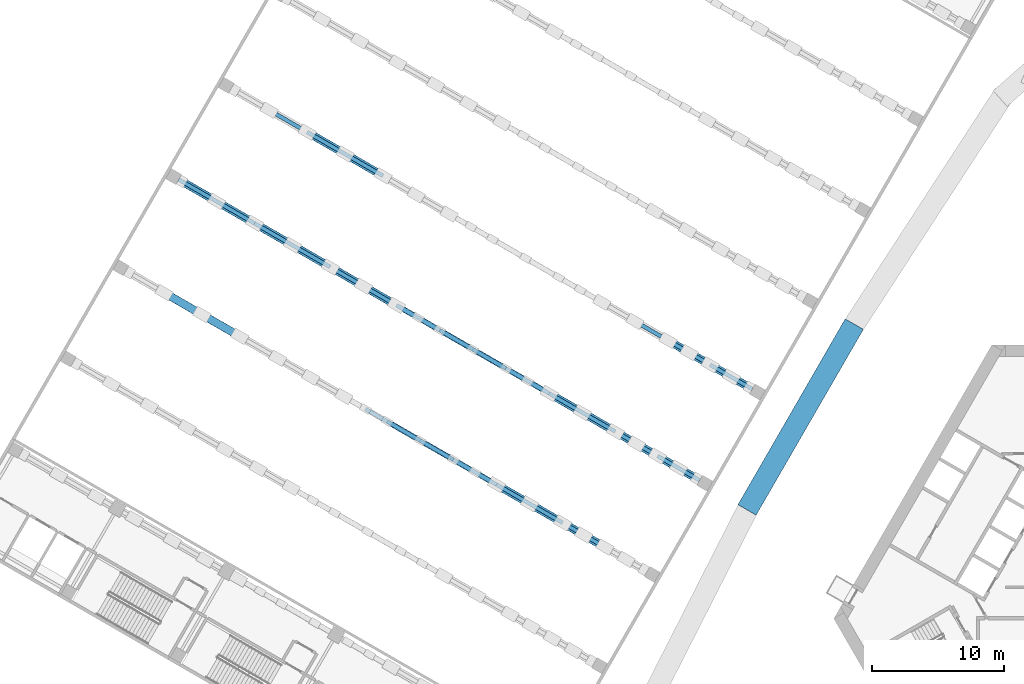
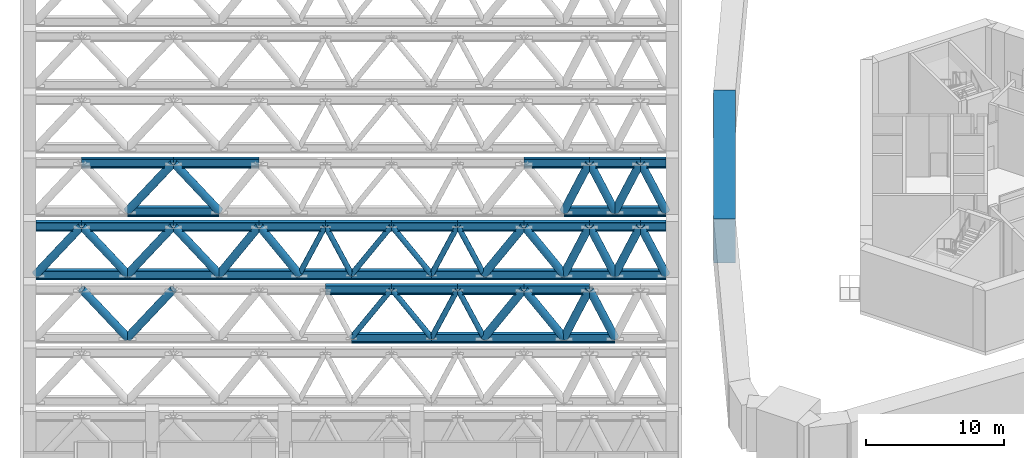
# One storey, part 3 of 37: 69 members, 1 beam.
"""IFC4 building model written with IfcOpenShell, lengths in metres."""

from ifc_helpers import new_model, si_unit, direction, frame, origin, origin_2d, place, context, subcontext, project, spatial, rectangle, hollow_circle, i_section, extrude, material, material_profile, profile_set, type_object, element, save


model = new_model("IFC4")

# Units and contexts
model_context = context("Model", 3, precision=1e-05, world=origin(), true_north=direction((0.0, 1.0)))
body_context = subcontext(model_context, "Body", "Model", "MODEL_VIEW")
ifc_project = project(units=[si_unit("LENGTHUNIT", "METRE"), si_unit("AREAUNIT", "SQUARE_METRE"), si_unit("VOLUMEUNIT", "CUBIC_METRE"), si_unit("PLANEANGLEUNIT", "RADIAN"), si_unit("MASSUNIT", "GRAM", prefix="KILO")], contexts=[model_context])

# Site, building, storey
site_placement = place(None, origin())
site = spatial("IfcSite", under=ifc_project, at=site_placement, CompositionType="ELEMENT")
building_placement = place(site_placement, origin())
building = spatial("IfcBuilding", under=site, at=building_placement, Name="Mestral Congress Tower", CompositionType="ELEMENT")
storey_placement = place(building_placement, frame((0.0, 0.0, 16.199951171875)))
storey = spatial("IfcBuildingStorey", under=building, at=storey_placement, Name="L03", CompositionType="ELEMENT", Elevation=16.199951171875)

# Beam
ifc_material_1 = material(Name="Concrete C70/85", Category="concrete")
ifc_material_profile_1 = material_profile(ifc_material_1, rectangle(XDim=1.60009765625, YDim=3.89990234375, at=origin_2d()), Name="RC 1600x3900")
ifc_profile_set_1 = profile_set([ifc_material_profile_1], Name="Concrete C70/85")
beam_type = type_object("IfcBeamType", Name="Transfer girder RC 1600x3900 C70/85", PredefinedType="BEAM", material=ifc_profile_set_1)
beam_placement = place(storey_placement, frame((-15.70361328125, 18.4765625, 3.449951171875), z_axis=(-0.499987831329, -0.866032429256, 0.0), x_axis=(0.866032429256, -0.499987831329, 0.0)))
element("IfcBeam", 1, at=beam_placement, inside=storey, type_object=beam_type, Name="BM-TG08", PredefinedType="BEAM", context=body_context, shape_type="SweptSolid", body=[
    extrude(rectangle(XDim=1.60009765625, YDim=3.89990234375, at=origin_2d()), origin(), (0.0, 0.0, 1.0), 16.298828125),
])

# Members
ifc_material_2 = material(Name="Steel S355", Category="steel")
ifc_material_profile_2 = material_profile(ifc_material_2, i_section(OverallWidth=0.300048828125, OverallDepth=0.800048828125, WebThickness=0.017578125, FlangeThickness=0.032958984375, FilletRadius=0.030029296875, at=origin_2d()), Name="HEB 800")
ifc_profile_set_2 = profile_set([ifc_material_profile_2], Name="Steel S355")
member_type_1 = type_object("IfcMemberType", Name="Truss chord HEB 800 S355", PredefinedType="CHORD", material=ifc_profile_set_2)
member_1_placement = place(storey_placement, frame((-23.4501953125, 13.5390625, 0.400146484375), z_axis=(-0.866046040199, 0.499964254978, 0.0), x_axis=(-0.499964254978, -0.866046040199, 0.0)))
element("IfcMember", 2, at=member_1_placement, inside=storey, type_object=member_type_1, Name="MB-W-T5-BC01", PredefinedType="CHORD", context=body_context, shape_type="SweptSolid", body=[
    extrude(i_section(OverallWidth=0.300048828125, OverallDepth=0.800048828125, WebThickness=0.017578125, FlangeThickness=0.032958984375, FilletRadius=0.030029296875, at=origin_2d()), origin(), (0.0, 0.0, 1.0), 3.699951171875),
])
member_2_placement = place(storey_placement, frame((-26.654541015625, 15.388916015625, 0.400146484375), z_axis=(-0.86601746898, 0.500013743233, 0.0), x_axis=(-0.500013743233, -0.86601746898, 0.0)))
element("IfcMember", 3, at=member_2_placement, inside=storey, type_object=member_type_1, Name="MB-W-T5-BC02", PredefinedType="CHORD", context=body_context, shape_type="SweptSolid", body=[
    extrude(i_section(OverallWidth=0.300048828125, OverallDepth=0.800048828125, WebThickness=0.017578125, FlangeThickness=0.032958984375, FilletRadius=0.030029296875, at=origin_2d()), origin(), (0.0, 0.0, 1.0), 3.7001953125),
])
member_3_placement = place(storey_placement, frame((-51.509521484375, 29.739013671875, 0.400146484375), z_axis=(-0.866027239912, 0.49999681972, 0.0), x_axis=(-0.49999681972, -0.866027239912, 0.0)))
element("IfcMember", 4, at=member_3_placement, inside=storey, type_object=member_type_1, Name="MB-W-T5-BC08", PredefinedType="CHORD", context=body_context, shape_type="SweptSolid", body=[
    extrude(i_section(OverallWidth=0.300048828125, OverallDepth=0.800048828125, WebThickness=0.017578125, FlangeThickness=0.032958984375, FilletRadius=0.030029296875, at=origin_2d()), origin(), (0.0, 0.0, 1.0), 6.64990234375),
])
member_4_placement = place(storey_placement, frame((-23.4501953125, 13.5390625, 4.699951171875), z_axis=(-0.866033964044, 0.499985172903, 0.0), x_axis=(-0.499985172903, -0.866033964044, 0.0)))
element("IfcMember", 5, at=member_4_placement, inside=storey, type_object=member_type_1, Name="MB-W-T5-TC01", PredefinedType="CHORD", context=body_context, shape_type="SweptSolid", body=[
    extrude(i_section(OverallWidth=0.300048828125, OverallDepth=0.800048828125, WebThickness=0.017578125, FlangeThickness=0.032958984375, FilletRadius=0.030029296875, at=origin_2d()), origin(), (0.0, 0.0, 1.0), 1.85009765625),
])
member_5_placement = place(storey_placement, frame((-25.052490234375, 14.464111328125, 4.699951171875), z_axis=(-0.866029545028, 0.499992827086, 0.0), x_axis=(-0.499992827086, -0.866029545028, 0.0)))
element("IfcMember", 6, at=member_5_placement, inside=storey, type_object=member_type_1, Name="MB-W-T5-TC02", PredefinedType="CHORD", context=body_context, shape_type="SweptSolid", body=[
    extrude(i_section(OverallWidth=0.300048828125, OverallDepth=0.800048828125, WebThickness=0.017578125, FlangeThickness=0.032958984375, FilletRadius=0.030029296875, at=origin_2d()), origin(), (0.0, 0.0, 1.0), 3.69970703125),
])
member_6_placement = place(storey_placement, frame((-28.256591796875, 16.31396484375, 4.699951171875), z_axis=(-0.866033238375, 0.499986429846, 0.0), x_axis=(-0.499986429846, -0.866033238375, 0.0)))
element("IfcMember", 7, at=member_6_placement, inside=storey, type_object=member_type_1, Name="MB-W-T5-TC03", PredefinedType="CHORD", context=body_context, shape_type="SweptSolid", body=[
    extrude(i_section(OverallWidth=0.300048828125, OverallDepth=0.800048828125, WebThickness=0.017578125, FlangeThickness=0.032958984375, FilletRadius=0.030029296875, at=origin_2d()), origin(), (0.0, 0.0, 1.0), 4.750244140625),
])
member_7_placement = place(storey_placement, frame((-48.998046875, 28.2890625, 4.699951171875), z_axis=(-0.866016424762, 0.5000155518, 0.0), x_axis=(-0.5000155518, -0.866016424762, 0.0)))
element("IfcMember", 8, at=member_7_placement, inside=storey, type_object=member_type_1, Name="MB-W-T5-TC08", PredefinedType="CHORD", context=body_context, shape_type="SweptSolid", body=[
    extrude(i_section(OverallWidth=0.300048828125, OverallDepth=0.800048828125, WebThickness=0.017578125, FlangeThickness=0.032958984375, FilletRadius=0.030029296875, at=origin_2d()), origin(), (0.0, 0.0, 1.0), 6.224853515625),
])
member_8_placement = place(storey_placement, frame((-54.388916015625, 31.401611328125, 4.699951171875), z_axis=(-0.866036417653, 0.499980922934, 0.0), x_axis=(-0.499980922934, -0.866036417653, 0.0)))
element("IfcMember", 9, at=member_8_placement, inside=storey, type_object=member_type_1, Name="MB-W-T5-TC09", PredefinedType="CHORD", context=body_context, shape_type="SweptSolid", body=[
    extrude(i_section(OverallWidth=0.300048828125, OverallDepth=0.800048828125, WebThickness=0.017578125, FlangeThickness=0.032958984375, FilletRadius=0.030029296875, at=origin_2d()), origin(), (0.0, 0.0, 1.0), 6.650146484375),
])
member_9_placement = place(storey_placement, frame((-27.4501953125, 6.61083984375, 0.400146484375), z_axis=(-0.866046040199, 0.499964254978, 0.0), x_axis=(-0.499964254978, -0.866046040199, 0.0)))
element("IfcMember", 10, at=member_9_placement, inside=storey, type_object=member_type_1, Name="MB-W-T6-BC01", PredefinedType="CHORD", context=body_context, shape_type="SweptSolid", body=[
    extrude(i_section(OverallWidth=0.300048828125, OverallDepth=0.800048828125, WebThickness=0.017578125, FlangeThickness=0.032958984375, FilletRadius=0.030029296875, at=origin_2d()), origin(), (0.0, 0.0, 1.0), 3.699951171875),
])
member_10_placement = place(storey_placement, frame((-30.654541015625, 8.460693359375, 0.400146484375), z_axis=(-0.86601746898, 0.500013743233, 0.0), x_axis=(-0.500013743233, -0.86601746898, 0.0)))
element("IfcMember", 11, at=member_10_placement, inside=storey, type_object=member_type_1, Name="MB-W-T6-BC02", PredefinedType="CHORD", context=body_context, shape_type="SweptSolid", body=[
    extrude(i_section(OverallWidth=0.300048828125, OverallDepth=0.800048828125, WebThickness=0.017578125, FlangeThickness=0.032958984375, FilletRadius=0.030029296875, at=origin_2d()), origin(), (0.0, 0.0, 1.0), 3.7001953125),
])
member_11_placement = place(storey_placement, frame((-33.85888671875, 10.310791015625, 0.400146484375), z_axis=(-0.866032775405, 0.499987231761, 0.0), x_axis=(-0.499987231761, -0.866032775405, 0.0)))
element("IfcMember", 12, at=member_11_placement, inside=storey, type_object=member_type_1, Name="MB-W-T6-BC03", PredefinedType="CHORD", context=body_context, shape_type="SweptSolid", body=[
    extrude(i_section(OverallWidth=0.300048828125, OverallDepth=0.800048828125, WebThickness=0.017578125, FlangeThickness=0.032958984375, FilletRadius=0.030029296875, at=origin_2d()), origin(), (0.0, 0.0, 1.0), 5.800048828125),
])
member_12_placement = place(storey_placement, frame((-38.8818359375, 13.210693359375, 0.400146484375), z_axis=(-0.866000483506, 0.500043160704, 0.0), x_axis=(-0.500043160704, -0.866000483506, 0.0)))
element("IfcMember", 13, at=member_12_placement, inside=storey, type_object=member_type_1, Name="MB-W-T6-BC04", PredefinedType="CHORD", context=body_context, shape_type="SweptSolid", body=[
    extrude(i_section(OverallWidth=0.300048828125, OverallDepth=0.800048828125, WebThickness=0.017578125, FlangeThickness=0.032958984375, FilletRadius=0.030029296875, at=origin_2d()), origin(), (0.0, 0.0, 1.0), 3.800048828125),
])
member_13_placement = place(storey_placement, frame((-42.172607421875, 15.11083984375, 0.400146484375), z_axis=(-0.866032775405, 0.499987231761, 0.0), x_axis=(-0.499987231761, -0.866032775405, 0.0)))
element("IfcMember", 14, at=member_13_placement, inside=storey, type_object=member_type_1, Name="MB-W-T6-BC05", PredefinedType="CHORD", context=body_context, shape_type="SweptSolid", body=[
    extrude(i_section(OverallWidth=0.300048828125, OverallDepth=0.800048828125, WebThickness=0.017578125, FlangeThickness=0.032958984375, FilletRadius=0.030029296875, at=origin_2d()), origin(), (0.0, 0.0, 1.0), 5.800048828125),
])
member_14_placement = place(storey_placement, frame((-47.195556640625, 18.0107421875, 0.400146484375), z_axis=(-0.86601654697, 0.500015340139, 0.0), x_axis=(-0.500015340139, -0.86601654697, 0.0)))
element("IfcMember", 15, at=member_14_placement, inside=storey, type_object=member_type_1, Name="MB-W-T6-BC06", PredefinedType="CHORD", context=body_context, shape_type="SweptSolid", body=[
    extrude(i_section(OverallWidth=0.300048828125, OverallDepth=0.800048828125, WebThickness=0.017578125, FlangeThickness=0.032958984375, FilletRadius=0.030029296875, at=origin_2d()), origin(), (0.0, 0.0, 1.0), 3.80029296875),
])
member_15_placement = place(storey_placement, frame((-50.486572265625, 19.910888671875, 0.400146484375), z_axis=(-0.866032775405, 0.499987231761, 0.0), x_axis=(-0.499987231761, -0.866032775405, 0.0)))
element("IfcMember", 16, at=member_15_placement, inside=storey, type_object=member_type_1, Name="MB-W-T6-BC07", PredefinedType="CHORD", context=body_context, shape_type="SweptSolid", body=[
    extrude(i_section(OverallWidth=0.300048828125, OverallDepth=0.800048828125, WebThickness=0.017578125, FlangeThickness=0.032958984375, FilletRadius=0.030029296875, at=origin_2d()), origin(), (0.0, 0.0, 1.0), 5.800048828125),
])
for number, where, z_axis, x_axis, name in (
    (17, (-55.509521484375, 22.810791015625, 0.400146484375), (-0.866027239912, 0.49999681972, 0.0), (-0.49999681972, -0.866027239912, 0.0), "MB-W-T6-BC08"),
    (18, (-61.2685546875, 26.1357421875, 0.400146484375), (-0.866027239912, 0.49999681972, 0.0), (-0.49999681972, -0.866027239912, 0.0), "MB-W-T6-BC09"),
):
    element("IfcMember", number, at=place(storey_placement, frame(where, z_axis=z_axis, x_axis=x_axis)), inside=storey, type_object=member_type_1, Name=name, PredefinedType="CHORD", context=body_context, shape_type="SweptSolid", body=[
        extrude(i_section(OverallWidth=0.300048828125, OverallDepth=0.800048828125, WebThickness=0.017578125, FlangeThickness=0.032958984375, FilletRadius=0.030029296875, at=origin_2d()), origin(), (0.0, 0.0, 1.0), 6.64990234375),
    ])
member_16_placement = place(storey_placement, frame((-27.4501953125, 6.61083984375, 4.699951171875), z_axis=(-0.866033964044, 0.499985172903, 0.0), x_axis=(-0.499985172903, -0.866033964044, 0.0)))
element("IfcMember", 19, at=member_16_placement, inside=storey, type_object=member_type_1, Name="MB-W-T6-TC01", PredefinedType="CHORD", context=body_context, shape_type="SweptSolid", body=[
    extrude(i_section(OverallWidth=0.300048828125, OverallDepth=0.800048828125, WebThickness=0.017578125, FlangeThickness=0.032958984375, FilletRadius=0.030029296875, at=origin_2d()), origin(), (0.0, 0.0, 1.0), 1.85009765625),
])
member_17_placement = place(storey_placement, frame((-29.052490234375, 7.535888671875, 4.699951171875), z_axis=(-0.866029545028, 0.499992827086, 0.0), x_axis=(-0.499992827086, -0.866029545028, 0.0)))
element("IfcMember", 20, at=member_17_placement, inside=storey, type_object=member_type_1, Name="MB-W-T6-TC02", PredefinedType="CHORD", context=body_context, shape_type="SweptSolid", body=[
    extrude(i_section(OverallWidth=0.300048828125, OverallDepth=0.800048828125, WebThickness=0.017578125, FlangeThickness=0.032958984375, FilletRadius=0.030029296875, at=origin_2d()), origin(), (0.0, 0.0, 1.0), 3.69970703125),
])
member_18_placement = place(storey_placement, frame((-32.256591796875, 9.3857421875, 4.699951171875), z_axis=(-0.866033238375, 0.499986429846, 0.0), x_axis=(-0.499986429846, -0.866033238375, 0.0)))
element("IfcMember", 21, at=member_18_placement, inside=storey, type_object=member_type_1, Name="MB-W-T6-TC03", PredefinedType="CHORD", context=body_context, shape_type="SweptSolid", body=[
    extrude(i_section(OverallWidth=0.300048828125, OverallDepth=0.800048828125, WebThickness=0.017578125, FlangeThickness=0.032958984375, FilletRadius=0.030029296875, at=origin_2d()), origin(), (0.0, 0.0, 1.0), 4.750244140625),
])
member_19_placement = place(storey_placement, frame((-36.370361328125, 11.7607421875, 4.699951171875), z_axis=(-0.866002622515, 0.50003945624, 0.0), x_axis=(-0.50003945624, -0.866002622515, 0.0)))
element("IfcMember", 22, at=member_19_placement, inside=storey, type_object=member_type_1, Name="MB-W-T6-TC04", PredefinedType="CHORD", context=body_context, shape_type="SweptSolid", body=[
    extrude(i_section(OverallWidth=0.300048828125, OverallDepth=0.800048828125, WebThickness=0.017578125, FlangeThickness=0.032958984375, FilletRadius=0.030029296875, at=origin_2d()), origin(), (0.0, 0.0, 1.0), 4.7998046875),
])
for number, where, z_axis, x_axis, name in (
    (23, (-40.527099609375, 14.160888671875, 4.699951171875), (-0.866037363387, 0.499979284789, 0.0), (-0.499979284789, -0.866037363387, 0.0), "MB-W-T6-TC05"),
    (24, (-44.68408203125, 16.560791015625, 4.699951171875), (-0.866037363387, 0.499979284789, 0.0), (-0.499979284789, -0.866037363387, 0.0), "MB-W-T6-TC06"),
    (25, (-48.841064453125, 18.960693359375, 4.699951171875), (-0.866015339567, 0.500017431331, 0.0), (-0.500017431331, -0.866015339567, 0.0), "MB-W-T6-TC07"),
):
    element("IfcMember", number, at=place(storey_placement, frame(where, z_axis=z_axis, x_axis=x_axis)), inside=storey, type_object=member_type_1, Name=name, PredefinedType="CHORD", context=body_context, shape_type="SweptSolid", body=[
        extrude(i_section(OverallWidth=0.300048828125, OverallDepth=0.800048828125, WebThickness=0.017578125, FlangeThickness=0.032958984375, FilletRadius=0.030029296875, at=origin_2d()), origin(), (0.0, 0.0, 1.0), 4.800048828125),
    ])
member_20_placement = place(storey_placement, frame((-52.998046875, 21.36083984375, 4.699951171875), z_axis=(-0.866016424762, 0.5000155518, 0.0), x_axis=(-0.5000155518, -0.866016424762, 0.0)))
element("IfcMember", 26, at=member_20_placement, inside=storey, type_object=member_type_1, Name="MB-W-T6-TC08", PredefinedType="CHORD", context=body_context, shape_type="SweptSolid", body=[
    extrude(i_section(OverallWidth=0.300048828125, OverallDepth=0.800048828125, WebThickness=0.017578125, FlangeThickness=0.032958984375, FilletRadius=0.030029296875, at=origin_2d()), origin(), (0.0, 0.0, 1.0), 6.224853515625),
])
member_21_placement = place(storey_placement, frame((-58.388916015625, 24.473388671875, 4.699951171875), z_axis=(-0.866036417653, 0.499980922934, 0.0), x_axis=(-0.499980922934, -0.866036417653, 0.0)))
element("IfcMember", 27, at=member_21_placement, inside=storey, type_object=member_type_1, Name="MB-W-T6-TC09", PredefinedType="CHORD", context=body_context, shape_type="SweptSolid", body=[
    extrude(i_section(OverallWidth=0.300048828125, OverallDepth=0.800048828125, WebThickness=0.017578125, FlangeThickness=0.032958984375, FilletRadius=0.030029296875, at=origin_2d()), origin(), (0.0, 0.0, 1.0), 6.650146484375),
])
member_22_placement = place(storey_placement, frame((-64.148193359375, 27.79833984375, 4.699951171875), z_axis=(-0.866033959199, 0.499985181294, 0.0), x_axis=(-0.499985181294, -0.866033959199, 0.0)))
element("IfcMember", 28, at=member_22_placement, inside=storey, type_object=member_type_1, Name="MB-W-T6-TC10", PredefinedType="CHORD", context=body_context, shape_type="SweptSolid", body=[
    extrude(i_section(OverallWidth=0.300048828125, OverallDepth=0.800048828125, WebThickness=0.017578125, FlangeThickness=0.032958984375, FilletRadius=0.030029296875, at=origin_2d()), origin(), (0.0, 0.0, 1.0), 3.32470703125),
])
member_23_placement = place(storey_placement, frame((-34.654541015625, 1.53271484375, 0.400146484375), z_axis=(-0.866046040199, 0.499964254978, 0.0), x_axis=(-0.499964254978, -0.866046040199, 0.0)))
element("IfcMember", 29, at=member_23_placement, inside=storey, type_object=member_type_1, Name="MB-W-T7-BC02", PredefinedType="CHORD", context=body_context, shape_type="SweptSolid", body=[
    extrude(i_section(OverallWidth=0.300048828125, OverallDepth=0.800048828125, WebThickness=0.017578125, FlangeThickness=0.032958984375, FilletRadius=0.030029296875, at=origin_2d()), origin(), (0.0, 0.0, 1.0), 3.699951171875),
])
member_24_placement = place(storey_placement, frame((-37.85888671875, 3.382568359375, 0.400146484375), z_axis=(-0.86601454848, 0.500018801468, 0.0), x_axis=(-0.500018801468, -0.86601454848, 0.0)))
element("IfcMember", 30, at=member_24_placement, inside=storey, type_object=member_type_1, Name="MB-W-T7-BC03", PredefinedType="CHORD", context=body_context, shape_type="SweptSolid", body=[
    extrude(i_section(OverallWidth=0.300048828125, OverallDepth=0.800048828125, WebThickness=0.017578125, FlangeThickness=0.032958984375, FilletRadius=0.030029296875, at=origin_2d()), origin(), (0.0, 0.0, 1.0), 5.800048828125),
])
member_25_placement = place(storey_placement, frame((-42.8818359375, 6.28271484375, 0.400146484375), z_axis=(-0.866028304915, 0.499994975061, 0.0), x_axis=(-0.499994975061, -0.866028304915, 0.0)))
element("IfcMember", 31, at=member_25_placement, inside=storey, type_object=member_type_1, Name="MB-W-T7-BC04", PredefinedType="CHORD", context=body_context, shape_type="SweptSolid", body=[
    extrude(i_section(OverallWidth=0.300048828125, OverallDepth=0.800048828125, WebThickness=0.017578125, FlangeThickness=0.032958984375, FilletRadius=0.030029296875, at=origin_2d()), origin(), (0.0, 0.0, 1.0), 3.7998046875),
])
member_26_placement = place(storey_placement, frame((-46.172607421875, 8.1826171875, 0.400146484375), z_axis=(-0.866032775405, 0.499987231761, 0.0), x_axis=(-0.499987231761, -0.866032775405, 0.0)))
element("IfcMember", 32, at=member_26_placement, inside=storey, type_object=member_type_1, Name="MB-W-T7-BC05", PredefinedType="CHORD", context=body_context, shape_type="SweptSolid", body=[
    extrude(i_section(OverallWidth=0.300048828125, OverallDepth=0.800048828125, WebThickness=0.017578125, FlangeThickness=0.032958984375, FilletRadius=0.030029296875, at=origin_2d()), origin(), (0.0, 0.0, 1.0), 5.800048828125),
])
member_27_placement = place(storey_placement, frame((-36.256591796875, 2.45751953125, 4.699951171875), z_axis=(-0.866033238375, 0.499986429846, 0.0), x_axis=(-0.499986429846, -0.866033238375, 0.0)))
element("IfcMember", 33, at=member_27_placement, inside=storey, type_object=member_type_1, Name="MB-W-T7-TC03", PredefinedType="CHORD", context=body_context, shape_type="SweptSolid", body=[
    extrude(i_section(OverallWidth=0.300048828125, OverallDepth=0.800048828125, WebThickness=0.017578125, FlangeThickness=0.032958984375, FilletRadius=0.030029296875, at=origin_2d()), origin(), (0.0, 0.0, 1.0), 4.750244140625),
])
member_28_placement = place(storey_placement, frame((-40.370361328125, 4.83251953125, 4.699951171875), z_axis=(-0.866002622515, 0.50003945624, 0.0), x_axis=(-0.50003945624, -0.866002622515, 0.0)))
element("IfcMember", 34, at=member_28_placement, inside=storey, type_object=member_type_1, Name="MB-W-T7-TC04", PredefinedType="CHORD", context=body_context, shape_type="SweptSolid", body=[
    extrude(i_section(OverallWidth=0.300048828125, OverallDepth=0.800048828125, WebThickness=0.017578125, FlangeThickness=0.032958984375, FilletRadius=0.030029296875, at=origin_2d()), origin(), (0.0, 0.0, 1.0), 4.7998046875),
])
for number, where, z_axis, x_axis, name in (
    (35, (-44.527099609375, 7.232666015625, 4.699951171875), (-0.866037363387, 0.499979284789, 0.0), (-0.499979284789, -0.866037363387, 0.0), "MB-W-T7-TC05"),
    (36, (-48.68408203125, 9.632568359375, 4.699951171875), (-0.866015339567, 0.500017431331, 0.0), (-0.500017431331, -0.866015339567, 0.0), "MB-W-T7-TC06"),
):
    element("IfcMember", number, at=place(storey_placement, frame(where, z_axis=z_axis, x_axis=x_axis)), inside=storey, type_object=member_type_1, Name=name, PredefinedType="CHORD", context=body_context, shape_type="SweptSolid", body=[
        extrude(i_section(OverallWidth=0.300048828125, OverallDepth=0.800048828125, WebThickness=0.017578125, FlangeThickness=0.032958984375, FilletRadius=0.030029296875, at=origin_2d()), origin(), (0.0, 0.0, 1.0), 4.800048828125),
    ])
ifc_material_profile_3 = material_profile(ifc_material_2, hollow_circle(Radius=0.203125, WallThickness=0.01611328125, at=origin_2d()), Name="CHS 406.4x16")
ifc_profile_set_3 = profile_set([ifc_material_profile_3], Name="Steel S355")
member_type_2 = type_object("IfcMemberType", Name="Truss diagonal CHS 406.4x16 S355", PredefinedType="BRACE", material=ifc_profile_set_3)
for number, where, z_axis, x_axis, name in (
    (37, (-38.8818359375, 13.210693359375, 0.400146484375), (-0.349992064898, 0.202132232762, 0.914684707966), (-0.500119165741, -0.865956592479, 0.0), "MB-W-T6-D07"),
    (38, (-40.527099609375, 14.160888671875, 4.699951171875), (-0.350041311257, 0.202078745119, -0.914677681582), (-0.499967155389, -0.866044365799, 0.0), "MB-W-T6-D08"),
):
    element("IfcMember", number, at=place(storey_placement, frame(where, z_axis=z_axis, x_axis=x_axis)), inside=storey, type_object=member_type_2, Name=name, PredefinedType="BRACE", context=body_context, shape_type="SweptSolid", body=[
        extrude(hollow_circle(Radius=0.203125, WallThickness=0.01611328125, at=origin_2d()), origin(), (0.0, 0.0, 1.0), 4.700927734375),
    ])
for number, where, z_axis, x_axis, name in (
    (39, (-42.172607421875, 15.11083984375, 0.400146484375), (-0.484247420666, 0.279570859467, 0.829062464544), (-0.499987231761, -0.866032775405, 0.0), "MB-W-T6-D09"),
    (40, (-44.68408203125, 16.560791015625, 4.699951171875), (-0.484247420666, 0.279570859467, -0.829062464544), (-0.499987231761, -0.866032775405, 0.0), "MB-W-T6-D10"),
):
    element("IfcMember", number, at=place(storey_placement, frame(where, z_axis=z_axis, x_axis=x_axis)), inside=storey, type_object=member_type_2, Name=name, PredefinedType="BRACE", context=body_context, shape_type="SweptSolid", body=[
        extrude(hollow_circle(Radius=0.203125, WallThickness=0.01611328125, at=origin_2d()), origin(), (0.0, 0.0, 1.0), 5.186279296875),
    ])
for number, where, z_axis, x_axis, name in (
    (41, (-47.195556640625, 18.0107421875, 0.400146484375), (-0.350041311257, 0.202078745119, 0.914677681582), (-0.499967155389, -0.866044365799, 0.0), "MB-W-T6-D11"),
    (42, (-48.841064453125, 18.960693359375, 4.699951171875), (-0.35003763718, 0.202128558443, -0.914668081011), (-0.500063520245, -0.865988727248, 0.0), "MB-W-T6-D12"),
    (43, (-42.8818359375, 6.28271484375, 0.400146484375), (-0.349995738631, 0.20208241861, 0.914694309061), (-0.500022797313, -0.86601224135, 0.0), "MB-W-T7-D07"),
    (44, (-44.527099609375, 7.232666015625, 4.699951171875), (-0.350041311257, 0.202078745119, -0.914677681582), (-0.499967155389, -0.866044365799, 0.0), "MB-W-T7-D08"),
):
    element("IfcMember", number, at=place(storey_placement, frame(where, z_axis=z_axis, x_axis=x_axis)), inside=storey, type_object=member_type_2, Name=name, PredefinedType="BRACE", context=body_context, shape_type="SweptSolid", body=[
        extrude(hollow_circle(Radius=0.203125, WallThickness=0.01611328125, at=origin_2d()), origin(), (0.0, 0.0, 1.0), 4.700927734375),
    ])
for number, where, z_axis, x_axis, name in (
    (45, (-46.172607421875, 8.1826171875, 0.400146484375), (-0.484247420666, 0.279570859467, 0.829062464544), (-0.499987231761, -0.866032775405, 0.0), "MB-W-T7-D09"),
    (46, (-48.68408203125, 9.632568359375, 4.699951171875), (-0.484247420666, 0.279570859467, -0.829062464544), (-0.499987231761, -0.866032775405, 0.0), "MB-W-T7-D10"),
):
    element("IfcMember", number, at=place(storey_placement, frame(where, z_axis=z_axis, x_axis=x_axis)), inside=storey, type_object=member_type_2, Name=name, PredefinedType="BRACE", context=body_context, shape_type="SweptSolid", body=[
        extrude(hollow_circle(Radius=0.203125, WallThickness=0.01611328125, at=origin_2d()), origin(), (0.0, 0.0, 1.0), 5.186279296875),
    ])
ifc_material_profile_4 = material_profile(ifc_material_2, hollow_circle(Radius=0.304931640625, WallThickness=0.02490234375, at=origin_2d()), Name="CHS 610x25")
ifc_profile_set_4 = profile_set([ifc_material_profile_4], Name="Steel S355")
member_type_3 = type_object("IfcMemberType", Name="Truss diagonal CHS 610x25 S355", PredefinedType="BRACE", material=ifc_profile_set_4)
for number, where, z_axis, x_axis, name in (
    (47, (-23.4501953125, 13.5390625, 0.400146484375), (-0.342300508531, 0.197619476889, 0.918573298226), (-0.499985172903, -0.866033964044, 0.0), "MB-W-T5-D01"),
    (48, (-25.052490234375, 14.464111328125, 4.699951171875), (-0.342257989659, 0.197572884003, -0.918599163956), (-0.49994333299, -0.866058118026, 0.0), "MB-W-T5-D02"),
    (49, (-26.654541015625, 15.388916015625, 0.400146484375), (-0.342254462306, 0.197623004828, 0.91858969676), (-0.500042316284, -0.866000971088, 0.0), "MB-W-T5-D03"),
    (50, (-28.256591796875, 16.31396484375, 4.699951171875), (-0.342300508531, 0.197619476889, -0.918573298226), (-0.499985172903, -0.866033964044, 0.0), "MB-W-T5-D04"),
):
    element("IfcMember", number, at=place(storey_placement, frame(where, z_axis=z_axis, x_axis=x_axis)), inside=storey, type_object=member_type_3, Name=name, PredefinedType="BRACE", context=body_context, shape_type="SweptSolid", body=[
        extrude(hollow_circle(Radius=0.304931640625, WallThickness=0.02490234375, at=origin_2d()), origin(), (0.0, 0.0, 1.0), 4.680908203125),
    ])
member_29_placement = place(storey_placement, frame((-51.509521484375, 29.739013671875, 0.400146484375), z_axis=(-0.529749391364, 0.305883784567, 0.791075655477), x_axis=(-0.500040251884, -0.866002163101, 0.0)))
element("IfcMember", 51, at=member_29_placement, inside=storey, type_object=member_type_3, Name="MB-W-T5-D15", PredefinedType="BRACE", context=body_context, shape_type="SweptSolid", body=[
    extrude(hollow_circle(Radius=0.304931640625, WallThickness=0.02490234375, at=origin_2d()), origin(), (0.0, 0.0, 1.0), 5.435302734375),
])
member_30_placement = place(storey_placement, frame((-54.388916015625, 31.401611328125, 4.699951171875), z_axis=(-0.529788979969, 0.305835791828, -0.791067699467), x_axis=(-0.499953387465, -0.866052313871, 0.0)))
element("IfcMember", 52, at=member_30_placement, inside=storey, type_object=member_type_3, Name="MB-W-T5-D16", PredefinedType="BRACE", context=body_context, shape_type="SweptSolid", body=[
    extrude(hollow_circle(Radius=0.304931640625, WallThickness=0.02490234375, at=origin_2d()), origin(), (0.0, 0.0, 1.0), 5.435546875),
])
for number, where, z_axis, x_axis, name in (
    (53, (-27.4501953125, 6.61083984375, 0.400146484375), (-0.342300508531, 0.197619476889, 0.918573298226), (-0.499985172903, -0.866033964044, 0.0), "MB-W-T6-D01"),
    (54, (-29.052490234375, 7.535888671875, 4.699951171875), (-0.342257989659, 0.197572884003, -0.918599163956), (-0.49994333299, -0.866058118026, 0.0), "MB-W-T6-D02"),
    (55, (-30.654541015625, 8.460693359375, 0.400146484375), (-0.342254462306, 0.197623004828, 0.91858969676), (-0.500042316284, -0.866000971088, 0.0), "MB-W-T6-D03"),
    (56, (-32.256591796875, 9.3857421875, 4.699951171875), (-0.342300508531, 0.197619476889, -0.918573298226), (-0.499985172903, -0.866033964044, 0.0), "MB-W-T6-D04"),
):
    element("IfcMember", number, at=place(storey_placement, frame(where, z_axis=z_axis, x_axis=x_axis)), inside=storey, type_object=member_type_3, Name=name, PredefinedType="BRACE", context=body_context, shape_type="SweptSolid", body=[
        extrude(hollow_circle(Radius=0.304931640625, WallThickness=0.02490234375, at=origin_2d()), origin(), (0.0, 0.0, 1.0), 4.680908203125),
    ])
for number, where, z_axis, x_axis, name in (
    (57, (-33.85888671875, 10.310791015625, 0.400146484375), (-0.484247420666, 0.279570859467, 0.829062464544), (-0.499987231761, -0.866032775405, 0.0), "MB-W-T6-D05"),
    (58, (-36.370361328125, 11.7607421875, 4.699951171875), (-0.484247420666, 0.279570859467, -0.829062464544), (-0.499987231761, -0.866032775405, 0.0), "MB-W-T6-D06"),
    (59, (-50.486572265625, 19.910888671875, 0.400146484375), (-0.484247420666, 0.279570859467, 0.829062464544), (-0.499987231761, -0.866032775405, 0.0), "MB-W-T6-D13"),
    (60, (-52.998046875, 21.36083984375, 4.699951171875), (-0.484247420666, 0.279570859467, -0.829062464544), (-0.499987231761, -0.866032775405, 0.0), "MB-W-T6-D14"),
):
    element("IfcMember", number, at=place(storey_placement, frame(where, z_axis=z_axis, x_axis=x_axis)), inside=storey, type_object=member_type_3, Name=name, PredefinedType="BRACE", context=body_context, shape_type="SweptSolid", body=[
        extrude(hollow_circle(Radius=0.304931640625, WallThickness=0.02490234375, at=origin_2d()), origin(), (0.0, 0.0, 1.0), 5.186279296875),
    ])
member_31_placement = place(storey_placement, frame((-55.509521484375, 22.810791015625, 0.400146484375), z_axis=(-0.529749391364, 0.305883784567, 0.791075655477), x_axis=(-0.500040251884, -0.866002163101, 0.0)))
element("IfcMember", 61, at=member_31_placement, inside=storey, type_object=member_type_3, Name="MB-W-T6-D15", PredefinedType="BRACE", context=body_context, shape_type="SweptSolid", body=[
    extrude(hollow_circle(Radius=0.304931640625, WallThickness=0.02490234375, at=origin_2d()), origin(), (0.0, 0.0, 1.0), 5.435302734375),
])
for number, where, z_axis, x_axis, name in (
    (62, (-58.388916015625, 24.473388671875, 4.699951171875), (-0.529788979969, 0.305835791828, -0.791067699467), (-0.499953387465, -0.866052313871, 0.0), "MB-W-T6-D16"),
    (63, (-61.2685546875, 26.1357421875, 0.400146484375), (-0.52978170185, 0.305876506113, 0.791056831961), (-0.500008456887, -0.866020521143, 0.0), "MB-W-T6-D17"),
):
    element("IfcMember", number, at=place(storey_placement, frame(where, z_axis=z_axis, x_axis=x_axis)), inside=storey, type_object=member_type_3, Name=name, PredefinedType="BRACE", context=body_context, shape_type="SweptSolid", body=[
        extrude(hollow_circle(Radius=0.304931640625, WallThickness=0.02490234375, at=origin_2d()), origin(), (0.0, 0.0, 1.0), 5.435546875),
    ])
member_32_placement = place(storey_placement, frame((-64.148193359375, 27.79833984375, 4.699951171875), z_axis=(-0.529756669385, 0.305843069514, -0.791086523759), x_axis=(-0.499985181294, -0.866033959199, 0.0)))
element("IfcMember", 64, at=member_32_placement, inside=storey, type_object=member_type_3, Name="MB-W-T6-D18", PredefinedType="BRACE", context=body_context, shape_type="SweptSolid", body=[
    extrude(hollow_circle(Radius=0.304931640625, WallThickness=0.02490234375, at=origin_2d()), origin(), (0.0, 0.0, 1.0), 5.435302734375),
])
for number, where, z_axis, x_axis, name in (
    (65, (-34.654541015625, 1.53271484375, 0.400146484375), (-0.342257989659, 0.197572884003, 0.918599163956), (-0.49994333299, -0.866058118026, 0.0), "MB-W-T7-D03"),
    (66, (-36.256591796875, 2.45751953125, 4.699951171875), (-0.342300508531, 0.197619476889, -0.918573298226), (-0.499985172903, -0.866033964044, 0.0), "MB-W-T7-D04"),
):
    element("IfcMember", number, at=place(storey_placement, frame(where, z_axis=z_axis, x_axis=x_axis)), inside=storey, type_object=member_type_3, Name=name, PredefinedType="BRACE", context=body_context, shape_type="SweptSolid", body=[
        extrude(hollow_circle(Radius=0.304931640625, WallThickness=0.02490234375, at=origin_2d()), origin(), (0.0, 0.0, 1.0), 4.680908203125),
    ])
member_33_placement = place(storey_placement, frame((-37.85888671875, 3.382568359375, 0.400146484375), z_axis=(-0.484247420666, 0.279570859467, 0.829062464544), x_axis=(-0.499987231761, -0.866032775405, 0.0)))
element("IfcMember", 67, at=member_33_placement, inside=storey, type_object=member_type_3, Name="MB-W-T7-D05", PredefinedType="BRACE", context=body_context, shape_type="SweptSolid", body=[
    extrude(hollow_circle(Radius=0.304931640625, WallThickness=0.02490234375, at=origin_2d()), origin(), (0.0, 0.0, 1.0), 5.186279296875),
])
member_34_placement = place(storey_placement, frame((-40.370361328125, 4.83251953125, 4.699951171875), z_axis=(-0.484241047345, 0.27961425306, -0.829051553012), x_axis=(-0.50005036918, -0.865996321171, 0.0)))
element("IfcMember", 68, at=member_34_placement, inside=storey, type_object=member_type_3, Name="MB-W-T7-D06", PredefinedType="BRACE", context=body_context, shape_type="SweptSolid", body=[
    extrude(hollow_circle(Radius=0.304931640625, WallThickness=0.02490234375, at=origin_2d()), origin(), (0.0, 0.0, 1.0), 5.1865234375),
])
for number, where, z_axis, x_axis, name in (
    (69, (-62.388916015625, 17.545166015625, 4.699951171875), (-0.529788979969, 0.305835791828, -0.791067699467), (-0.499953387465, -0.866052313871, 0.0), "MB-W-T7-D16"),
    (70, (-65.2685546875, 19.20751953125, 0.400146484375), (-0.52978170185, 0.305876506113, 0.791056831961), (-0.500008456887, -0.866020521143, 0.0), "MB-W-T7-D17"),
):
    element("IfcMember", number, at=place(storey_placement, frame(where, z_axis=z_axis, x_axis=x_axis)), inside=storey, type_object=member_type_3, Name=name, PredefinedType="BRACE", context=body_context, shape_type="SweptSolid", body=[
        extrude(hollow_circle(Radius=0.304931640625, WallThickness=0.02490234375, at=origin_2d()), origin(), (0.0, 0.0, 1.0), 5.435546875),
    ])

save(model, "model.ifc")
